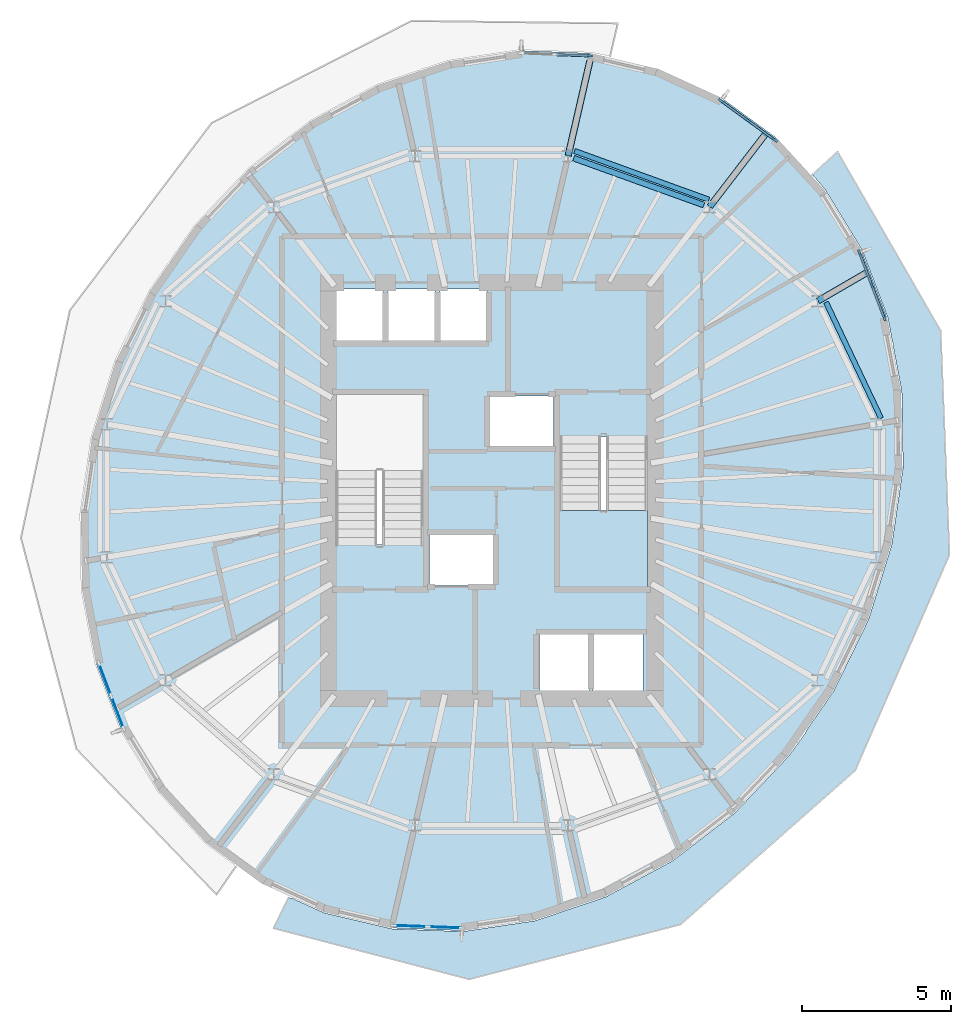
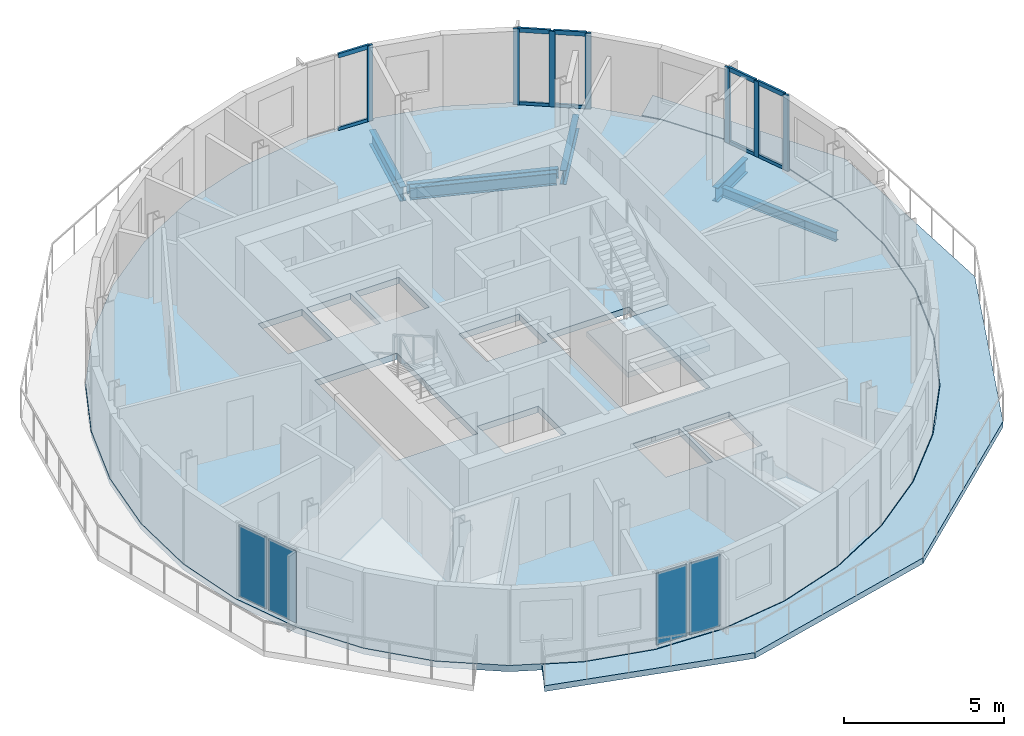
# One storey, part 3 of 11: 17 members, 6 beams, 4 plates, 3 slabs, 6 elements without a shape of their own.
"""IFC4 building model written with IfcOpenShell, lengths in metres."""

from ifc_helpers import new_model, si_unit, direction, frame, origin, origin_2d, place, context, subcontext, project, spatial, polyline, rectangle, i_section, outline, extrude, material, layer, layer_set, material_profile, profile_set, type_object, element, aggregate, save


model = new_model("IFC4")

# Units and contexts
model_context = context("Model", 3, precision=1e-05, world=origin(), true_north=direction((0.0, 1.0)))
body_context = subcontext(model_context, "Body", "Model", "MODEL_VIEW")
ifc_project = project(units=[si_unit("LENGTHUNIT", "METRE"), si_unit("AREAUNIT", "SQUARE_METRE"), si_unit("VOLUMEUNIT", "CUBIC_METRE"), si_unit("PLANEANGLEUNIT", "RADIAN"), si_unit("MASSUNIT", "GRAM", prefix="KILO")], contexts=[model_context])

# Site, building, storey
site_placement = place(None, origin())
site = spatial("IfcSite", under=ifc_project, at=site_placement, CompositionType="ELEMENT")
building_placement = place(site_placement, origin())
building = spatial("IfcBuilding", under=site, at=building_placement, Name="Veldorim Arch Residences", CompositionType="ELEMENT")
storey_placement = place(building_placement, frame((0.0, 0.0, 239.840087890625)))
storey = spatial("IfcBuildingStorey", under=building, at=storey_placement, Name="L72", CompositionType="ELEMENT", Elevation=239.840087890625)

# Beams
ifc_material_1 = material(Name="Steel S355", Category="steel")
ifc_material_profile_1 = material_profile(ifc_material_1, i_section(OverallWidth=0.2119140625, OverallDepth=0.54443359375, WebThickness=0.0126953125, FlangeThickness=0.021240234375, at=origin_2d()), Name="UB533x210x122")
ifc_profile_set_1 = profile_set([ifc_material_profile_1], Name="Steel S355")
beam_type_1 = type_object("IfcBeamType", Name="Structural Steel Beam UB533x210x122", PredefinedType="BEAM", material=ifc_profile_set_1)
beam_1_placement = place(storey_placement, frame((42.99267578125, 30.387939453125, -0.512451171875), z_axis=(0.864624474783, 0.502418667653, 0.0), x_axis=(-0.502418667653, 0.864624474783, 0.0)))
element("IfcBeam", 1, at=beam_1_placement, inside=storey, type_object=beam_type_1, Name="L72 radial edge cantilever girder 02", PredefinedType="BEAM", context=body_context, shape_type="SweptSolid", body=[
    extrude(i_section(OverallWidth=0.2119140625, OverallDepth=0.54443359375, WebThickness=0.0126953125, FlangeThickness=0.021240234375, at=origin_2d()), origin(), (0.0, 0.0, 1.0), 1.892578125),
])
beam_2_placement = place(storey_placement, frame((39.345703125, 33.561279296875, -0.512451171875), z_axis=(0.609237247817, 0.792988004873, 0.0), x_axis=(-0.792988004873, 0.609237247817, 0.0)))
element("IfcBeam", 2, at=beam_2_placement, inside=storey, type_object=beam_type_1, Name="L72 radial edge cantilever girder 03", PredefinedType="BEAM", context=body_context, shape_type="SweptSolid", body=[
    extrude(i_section(OverallWidth=0.2119140625, OverallDepth=0.54443359375, WebThickness=0.0126953125, FlangeThickness=0.021240234375, at=origin_2d()), origin(), (0.0, 0.0, 1.0), 3.09033203125),
])
beam_3_placement = place(storey_placement, frame((34.57958984375, 35.27880859375, -0.512451171875), z_axis=(0.222994562623, 0.974819688476, 0.0), x_axis=(-0.974819688476, 0.222994562623, 0.0)))
element("IfcBeam", 3, at=beam_3_placement, inside=storey, type_object=beam_type_1, Name="L72 radial edge cantilever girder 04", PredefinedType="BEAM", context=body_context, shape_type="SweptSolid", body=[
    extrude(i_section(OverallWidth=0.2119140625, OverallDepth=0.54443359375, WebThickness=0.0126953125, FlangeThickness=0.021240234375, at=origin_2d()), origin(), (0.0, 0.0, 1.0), 3.280029296875),
])
ifc_material_2 = material(Name="Steel S355", Category="steel")
ifc_material_profile_2 = material_profile(ifc_material_2, i_section(OverallWidth=0.172119140625, OverallDepth=0.35791015625, WebThickness=0.008056640625, FlangeThickness=0.012939453125, at=origin_2d()), Name="UB356x171x57")
ifc_profile_set_2 = profile_set([ifc_material_profile_2], Name="Steel S355")
beam_type_2 = type_object("IfcBeamType", Name="Structural Steel Spandrel UB356x171x57", PredefinedType="SPANDREL", material=ifc_profile_set_2)
beam_4_placement = place(storey_placement, frame((45.107666015625, 26.439208984375, -0.439208984375), z_axis=(-0.428453398876, 0.903563879862, 0.0), x_axis=(-0.903563879862, -0.428453398876, 0.0)))
element("IfcBeam", 4, at=beam_4_placement, inside=storey, type_object=beam_type_2, Name="L72 perimeter chord spandrel beam 01", PredefinedType="SPANDREL", context=body_context, shape_type="SweptSolid", body=[
    extrude(i_section(OverallWidth=0.172119140625, OverallDepth=0.35791015625, WebThickness=0.008056640625, FlangeThickness=0.012939453125, at=origin_2d()), origin(), (0.0, 0.0, 1.0), 4.31689453125),
])
beam_5_placement = place(storey_placement, frame((39.314697265625, 33.79541015625, -0.439208984375), z_axis=(-0.940181197783, 0.340674794099, 0.0), x_axis=(-0.340674794099, -0.940181197783, 0.0)))
element("IfcBeam", 5, at=beam_5_placement, inside=storey, type_object=beam_type_2, Name="L72 perimeter chord spandrel beam 03", PredefinedType="SPANDREL", context=body_context, shape_type="SweptSolid", body=[
    extrude(i_section(OverallWidth=0.172119140625, OverallDepth=0.35791015625, WebThickness=0.008056640625, FlangeThickness=0.012939453125, at=origin_2d()), origin(), (0.0, 0.0, 1.0), 4.80859375),
])
ifc_material_3 = material(Name="Steel S355", Category="steel")
ifc_material_profile_3 = material_profile(ifc_material_3, i_section(OverallWidth=0.19140625, OverallDepth=0.4599609375, WebThickness=0.010009765625, FlangeThickness=0.01611328125, at=origin_2d()), Name="UB457x191x82")
ifc_profile_set_3 = profile_set([ifc_material_profile_3], Name="Steel S355")
beam_type_3 = type_object("IfcBeamType", Name="Structural Steel Spandrel UB457x191x82", PredefinedType="SPANDREL", material=ifc_profile_set_3)
beam_6_placement = place(storey_placement, frame((39.145751953125, 33.61279296875, -0.469970703125), z_axis=(-0.940799194754, 0.338964415757, 0.0), x_axis=(-0.338964415757, -0.940799194754, 0.0)))
element("IfcBeam", 6, at=beam_6_placement, inside=storey, type_object=beam_type_3, Name="L72 perimeter ring tie beam 03", PredefinedType="SPANDREL", context=body_context, shape_type="SweptSolid", body=[
    extrude(i_section(OverallWidth=0.19140625, OverallDepth=0.4599609375, WebThickness=0.010009765625, FlangeThickness=0.01611328125, at=origin_2d()), origin(), (0.0, 0.0, 1.0), 4.65869140625),
])

# Curtain wall, member
ifc_material_4 = material(Name="Aluminium", Category="aluminium")
curtain_wall_type = type_object("IfcCurtainWallType", Name="Zone 4 High-Altitude Unitised Curtain Wall", PredefinedType="NOTDEFINED", material=ifc_material_4)
curtain_wall_1_placement = place(storey_placement, origin())
curtain_wall_1 = element("IfcCurtainWall", 7, at=curtain_wall_1_placement, inside=storey, type_object=curtain_wall_type, Name="L72 unitised curtain wall bay 03", PredefinedType="NOTDEFINED")
ifc_material_5 = material(Name="Aluminium", Category="aluminium")
ifc_material_profile_4 = material_profile(ifc_material_5, rectangle(XDim=0.074951171875, YDim=0.195068359375, at=origin_2d()), Name="ALU_MUL_75x195")
ifc_profile_set_4 = profile_set([ifc_material_profile_4], Name="Aluminium")
member_type_1 = type_object("IfcMemberType", Name="Zone 4 High-Altitude Unitised Curtain Wall Mullion 75x195", PredefinedType="MULLION", material=ifc_profile_set_4)
member_1_placement = place(storey_placement, frame((35.304443359375, 38.635986328125, 0.0), z_axis=(0.0, 0.0, 1.0), x_axis=(0.037606436173, 0.999292627791, 0.0)))
member_1 = element("IfcMember", 8, at=member_1_placement, type_object=member_type_1, Name="CW-Z4 mullion 3", PredefinedType="MULLION", context=body_context, shape_type="SweptSolid", body=[
    extrude(rectangle(XDim=0.074951171875, YDim=0.195068359375, at=origin_2d()), origin(), (0.0, 0.0, 1.0), 2.8798828125),
])

# Curtain wall, members
curtain_wall_2_placement = place(storey_placement, origin())
curtain_wall_2 = element("IfcCurtainWall", 9, at=curtain_wall_2_placement, inside=storey, type_object=curtain_wall_type, Name="L72 unitised curtain wall bay 33", PredefinedType="NOTDEFINED")
member_2_placement = place(storey_placement, frame((44.381591796875, 32.014892578125, 0.0), z_axis=(0.0, 0.0, 1.0), x_axis=(0.934865414393, 0.355002333755, 0.0)))
member_2 = element("IfcMember", 10, at=member_2_placement, type_object=member_type_1, Name="CW-Z4 mullion 1", PredefinedType="MULLION", context=body_context, shape_type="SweptSolid", body=[
    extrude(rectangle(XDim=0.074951171875, YDim=0.195068359375, at=origin_2d()), origin(), (0.0, 0.0, 1.0), 2.8798828125),
])
member_3_placement = place(storey_placement, frame((44.8017578125, 30.908447265625, 0.0), z_axis=(0.0, 0.0, 1.0), x_axis=(0.934865414393, 0.355002333755, 0.0)))
member_3 = element("IfcMember", 11, at=member_3_placement, type_object=member_type_1, Name="CW-Z4 mullion 2", PredefinedType="MULLION", context=body_context, shape_type="SweptSolid", body=[
    extrude(rectangle(XDim=0.074951171875, YDim=0.195068359375, at=origin_2d()), origin(), (0.0, 0.0, 1.0), 2.8798828125),
])
member_4_placement = place(storey_placement, frame((45.221923828125, 29.802001953125, 0.0), z_axis=(0.0, 0.0, 1.0), x_axis=(0.934865414393, 0.355002333755, 0.0)))
member_4 = element("IfcMember", 12, at=member_4_placement, type_object=member_type_1, Name="CW-Z4 mullion 3", PredefinedType="MULLION", context=body_context, shape_type="SweptSolid", body=[
    extrude(rectangle(XDim=0.074951171875, YDim=0.195068359375, at=origin_2d()), origin(), (0.0, 0.0, 1.0), 2.8798828125),
])

curtain_wall_3_placement = place(storey_placement, origin())
curtain_wall_3 = element("IfcCurtainWall", 13, at=curtain_wall_3_placement, inside=storey, type_object=curtain_wall_type, Name="L72 unitised curtain wall bay 36", PredefinedType="NOTDEFINED")
member_5_placement = place(storey_placement, frame((39.720458984375, 37.124267578125, 0.0), z_axis=(0.0, 0.0, 1.0), x_axis=(0.589278638406, 0.807929877105, 0.0)))
member_5 = element("IfcMember", 14, at=member_5_placement, type_object=member_type_1, Name="CW-Z4 mullion 1", PredefinedType="MULLION", context=body_context, shape_type="SweptSolid", body=[
    extrude(rectangle(XDim=0.074951171875, YDim=0.195068359375, at=origin_2d()), origin(), (0.0, 0.0, 1.0), 2.8798828125),
])
member_6_placement = place(storey_placement, frame((40.62939453125, 36.46142578125, 0.0), z_axis=(0.0, 0.0, 1.0), x_axis=(0.589278638406, 0.807929877105, 0.0)))
member_6 = element("IfcMember", 15, at=member_6_placement, type_object=member_type_1, Name="CW-Z4 mullion 2", PredefinedType="MULLION", context=body_context, shape_type="SweptSolid", body=[
    extrude(rectangle(XDim=0.074951171875, YDim=0.195068359375, at=origin_2d()), origin(), (0.0, 0.0, 1.0), 2.8798828125),
])
member_7_placement = place(storey_placement, frame((41.5380859375, 35.798583984375, 0.0), z_axis=(0.0, 0.0, 1.0), x_axis=(0.589278638406, 0.807929877105, 0.0)))
member_7 = element("IfcMember", 16, at=member_7_placement, type_object=member_type_1, Name="CW-Z4 mullion 3", PredefinedType="MULLION", context=body_context, shape_type="SweptSolid", body=[
    extrude(rectangle(XDim=0.074951171875, YDim=0.195068359375, at=origin_2d()), origin(), (0.0, 0.0, 1.0), 2.8798828125),
])

# Member
ifc_material_6 = material(Name="Aluminium", Category="aluminium")
ifc_material_profile_5 = material_profile(ifc_material_6, rectangle(XDim=0.074951171875, YDim=0.1650390625, at=origin_2d()), Name="ALU_TRN_75x165")
ifc_profile_set_5 = profile_set([ifc_material_profile_5], Name="Aluminium")
member_type_2 = type_object("IfcMemberType", Name="Zone 4 High-Altitude Unitised Curtain Wall Transom 75x165", PredefinedType="USERDEFINED", material=ifc_profile_set_5)
member_8_placement = place(storey_placement, frame((34.186279296875, 38.677978515625, 0.037353515625), z_axis=(0.999297404323, -0.037479297135, 0.0), x_axis=(0.037479297135, 0.999297404323, 0.0)))
member_8 = element("IfcMember", 17, at=member_8_placement, type_object=member_type_2, Name="CW-Z4 transom 2.1", ObjectType="TRANSOM", PredefinedType="USERDEFINED", context=body_context, shape_type="SweptSolid", body=[
    extrude(rectangle(XDim=0.074951171875, YDim=0.1650390625, at=origin_2d()), origin(), (0.0, 0.0, 1.0), 1.081298828125),
])

member_9_placement = place(storey_placement, frame((34.186279296875, 38.677978515625, 2.842529296875), z_axis=(0.999297404323, -0.037479297135, 0.0), x_axis=(0.037479297135, 0.999297404323, 0.0)))
member_9 = element("IfcMember", 18, at=member_9_placement, type_object=member_type_2, Name="CW-Z4 transom 2.2", ObjectType="TRANSOM", PredefinedType="USERDEFINED", context=body_context, shape_type="SweptSolid", body=[
    extrude(rectangle(XDim=0.074951171875, YDim=0.1650390625, at=origin_2d()), origin(), (0.0, 0.0, 1.0), 1.081298828125),
])

aggregate(curtain_wall_1, [member_1, member_8, member_9])

member_10_placement = place(storey_placement, frame((44.39501953125, 31.979736328125, 0.037353515625), z_axis=(0.355079172172, -0.934836232444, 0.0), x_axis=(0.934836232444, 0.355079172172, 0.0)))
member_10 = element("IfcMember", 19, at=member_10_placement, type_object=member_type_2, Name="CW-Z4 transom 1.1", ObjectType="TRANSOM", PredefinedType="USERDEFINED", context=body_context, shape_type="SweptSolid", body=[
    extrude(rectangle(XDim=0.074951171875, YDim=0.1650390625, at=origin_2d()), origin(), (0.0, 0.0, 1.0), 1.1083984375),
])

member_11_placement = place(storey_placement, frame((44.39501953125, 31.979736328125, 2.842529296875), z_axis=(0.355079172172, -0.934836232444, 0.0), x_axis=(0.934836232444, 0.355079172172, 0.0)))
member_11 = element("IfcMember", 20, at=member_11_placement, type_object=member_type_2, Name="CW-Z4 transom 1.2", ObjectType="TRANSOM", PredefinedType="USERDEFINED", context=body_context, shape_type="SweptSolid", body=[
    extrude(rectangle(XDim=0.074951171875, YDim=0.1650390625, at=origin_2d()), origin(), (0.0, 0.0, 1.0), 1.1083984375),
])

member_12_placement = place(storey_placement, frame((44.815185546875, 30.873291015625, 0.037353515625), z_axis=(0.355079172172, -0.934836232444, 0.0), x_axis=(0.934836232444, 0.355079172172, 0.0)))
member_12 = element("IfcMember", 21, at=member_12_placement, type_object=member_type_2, Name="CW-Z4 transom 2.1", ObjectType="TRANSOM", PredefinedType="USERDEFINED", context=body_context, shape_type="SweptSolid", body=[
    extrude(rectangle(XDim=0.074951171875, YDim=0.1650390625, at=origin_2d()), origin(), (0.0, 0.0, 1.0), 1.1083984375),
])

member_13_placement = place(storey_placement, frame((44.815185546875, 30.873291015625, 2.842529296875), z_axis=(0.355079172172, -0.934836232444, 0.0), x_axis=(0.934836232444, 0.355079172172, 0.0)))
member_13 = element("IfcMember", 22, at=member_13_placement, type_object=member_type_2, Name="CW-Z4 transom 2.2", ObjectType="TRANSOM", PredefinedType="USERDEFINED", context=body_context, shape_type="SweptSolid", body=[
    extrude(rectangle(XDim=0.074951171875, YDim=0.1650390625, at=origin_2d()), origin(), (0.0, 0.0, 1.0), 1.1083984375),
])

aggregate(curtain_wall_2, [member_2, member_3, member_4, member_10, member_11, member_12, member_13])

member_14_placement = place(storey_placement, frame((39.750732421875, 37.102294921875, 0.037353515625), z_axis=(0.807991387578, -0.589194295287, 0.0), x_axis=(0.589194295287, 0.807991387578, 0.0)))
member_14 = element("IfcMember", 23, at=member_14_placement, type_object=member_type_2, Name="CW-Z4 transom 1.1", ObjectType="TRANSOM", PredefinedType="USERDEFINED", context=body_context, shape_type="SweptSolid", body=[
    extrude(rectangle(XDim=0.074951171875, YDim=0.1650390625, at=origin_2d()), origin(), (0.0, 0.0, 1.0), 1.050048828125),
])

member_15_placement = place(storey_placement, frame((39.750732421875, 37.102294921875, 2.842529296875), z_axis=(0.807991387578, -0.589194295287, 0.0), x_axis=(0.589194295287, 0.807991387578, 0.0)))
member_15 = element("IfcMember", 24, at=member_15_placement, type_object=member_type_2, Name="CW-Z4 transom 1.2", ObjectType="TRANSOM", PredefinedType="USERDEFINED", context=body_context, shape_type="SweptSolid", body=[
    extrude(rectangle(XDim=0.074951171875, YDim=0.1650390625, at=origin_2d()), origin(), (0.0, 0.0, 1.0), 1.050048828125),
])

member_16_placement = place(storey_placement, frame((40.65966796875, 36.439453125, 0.037353515625), z_axis=(0.807910647088, -0.589305002798, 0.0), x_axis=(0.589305002798, 0.807910647088, 0.0)))
member_16 = element("IfcMember", 25, at=member_16_placement, type_object=member_type_2, Name="CW-Z4 transom 2.1", ObjectType="TRANSOM", PredefinedType="USERDEFINED", context=body_context, shape_type="SweptSolid", body=[
    extrude(rectangle(XDim=0.074951171875, YDim=0.1650390625, at=origin_2d()), origin(), (0.0, 0.0, 1.0), 1.0498046875),
])

member_17_placement = place(storey_placement, frame((40.65966796875, 36.439453125, 2.842529296875), z_axis=(0.807910647088, -0.589305002798, 0.0), x_axis=(0.589305002798, 0.807910647088, 0.0)))
member_17 = element("IfcMember", 26, at=member_17_placement, type_object=member_type_2, Name="CW-Z4 transom 2.2", ObjectType="TRANSOM", PredefinedType="USERDEFINED", context=body_context, shape_type="SweptSolid", body=[
    extrude(rectangle(XDim=0.074951171875, YDim=0.1650390625, at=origin_2d()), origin(), (0.0, 0.0, 1.0), 1.0498046875),
])

aggregate(curtain_wall_3, [member_5, member_6, member_7, member_14, member_15, member_16, member_17])

# Slab
ifc_material_7 = material(Name="Concrete C40/50", Category="concrete")
ifc_layer_1 = layer(ifc_material_7, 0.219970703125, Name="Planted Crescent Cantilever Balcony Slab 220")
ifc_layer_set_1 = layer_set([ifc_layer_1], Name="Concrete C40/50")
slab_type_1 = type_object("IfcSlabType", Name="Planted Crescent Cantilever Balcony Slab 220", PredefinedType="FLOOR", material=ifc_layer_set_1)
slab_1_placement = place(storey_placement, frame((0.0, 0.0, -0.219970703125)))
element("IfcSlab", 27, at=slab_1_placement, inside=storey, type_object=slab_type_1, Name="L72 planted crescent balcony slab B", PredefinedType="FLOOR", context=body_context, shape_type="SweptSolid", body=[
    extrude(outline(polyline([(25.290283203125, 10.27978515625), (26.362060546875, 9.788818359375), (28.6513671875, 9.25048828125), (31.042236328125, 9.16064453125), (33.462158203125, 9.521728515625), (35.837158203125, 10.322509765625), (38.095703125, 11.5390625), (40.168701171875, 13.1337890625), (41.99365234375, 15.05859375), (42.558349609375, 15.835693359375), (42.60888671875, 15.947021484375), (43.514892578125, 17.2548828125), (44.686767578125, 19.65625), (45.47314453125, 22.189453125), (45.85009765625, 24.777587890625), (45.806640625, 27.34228515625), (45.531982421875, 28.802978515625), (45.53369140625, 28.92919921875), (45.491943359375, 29.016357421875), (45.343505859375, 29.805908203125), (44.47509765625, 32.093017578125), (43.227294921875, 34.134521484375), (42.796142578125, 34.636474609375), (43.64501953125, 35.412353515625), (47.1171875, 29.384521484375), (47.412841796875, 21.8349609375), (44.24072265625, 14.578857421875), (38.367919921875, 9.398193359375), (31.24658203125, 7.550537109375), (24.658203125, 9.269287109375), (25.16162109375, 10.30322265625), (25.290283203125, 10.27978515625)])), origin(), (0.0, 0.0, 1.0), 0.219970703125),
])

# Stair, slab
ifc_material_8 = material(Name="Concrete C40/50", Category="concrete")
stair_type = type_object("IfcStairType", Name="Reinforced Concrete Dogleg Exit Staircase", PredefinedType="HALF_TURN_STAIR", material=ifc_material_8)
stair_placement = place(storey_placement, origin())
stair = element("IfcStair", 28, at=stair_placement, inside=storey, type_object=stair_type, Name="L72 Exit Staircase ST-2", PredefinedType="HALF_TURN_STAIR")
ifc_material_9 = material(Name="Concrete C40/50", Category="concrete")
ifc_layer_2 = layer(ifc_material_9, 0.199951171875, Name="Reinforced Concrete Stair Landing 200")
ifc_layer_set_2 = layer_set([ifc_layer_2], Name="Concrete C40/50")
slab_type_2 = type_object("IfcSlabType", Name="Reinforced Concrete Stair Landing 200", PredefinedType="LANDING", material=ifc_layer_set_2)
slab_2_placement = place(storey_placement, frame((0.0, 0.0, 1.39990234375)))
slab_2 = element("IfcSlab", 29, at=slab_2_placement, type_object=slab_type_2, Name="ST-2 landing 1", PredefinedType="LANDING", context=body_context, shape_type="SweptSolid", body=[
    extrude(outline(polyline([(34.2900390625, 23.330078125), (34.2900390625, 20.75), (37.25, 20.75), (37.25, 23.330078125), (34.2900390625, 23.330078125)])), origin(), (0.0, 0.0, 1.0), 0.199951171875),
])
aggregate(stair, [slab_2])

# Slab
ifc_material_10 = material(Name="Concrete C40/50", Category="concrete")
ifc_layer_3 = layer(ifc_material_10, 0.239990234375, Name="Typical Residential Floor Slab 240")
ifc_layer_set_3 = layer_set([ifc_layer_3], Name="Concrete C40/50")
slab_type_3 = type_object("IfcSlabType", Name="Typical Residential Floor Slab 240", PredefinedType="FLOOR", material=ifc_layer_set_3)
slab_3_placement = place(storey_placement, frame((0.0, 0.0, -0.239990234375)))
element("IfcSlab", 30, at=slab_3_placement, inside=storey, type_object=slab_type_3, Name="L72 tower structural floor slab", PredefinedType="FLOOR", context=body_context, shape_type="SweptSolid", body=[
    extrude(outline(polyline([(39.7431640625, 37.218994140625), (37.6298828125, 38.1875), (35.34521484375, 38.724609375), (32.958984375, 38.814208984375), (30.543701171875, 38.453857421875), (28.1728515625, 37.654296875), (25.91796875, 36.43994140625), (23.84814453125, 34.847412109375), (22.02587890625, 32.925537109375), (20.506591796875, 30.732421875), (19.336669921875, 28.334716796875), (18.551513671875, 25.80517578125), (18.1748046875, 23.220703125), (18.21826171875, 20.66015625), (18.6806640625, 18.200927734375), (19.547607421875, 15.918212890625), (20.792724609375, 13.880615234375), (22.378662109375, 12.15087890625), (24.2568359375, 10.781005859375), (26.3701171875, 9.8125), (28.65478515625, 9.275390625), (31.041015625, 9.185791015625), (33.456298828125, 9.546142578125), (35.8271484375, 10.345703125), (38.08203125, 11.56005859375), (40.15185546875, 13.152587890625), (41.97412109375, 15.074462890625), (43.493408203125, 17.267578125), (44.663330078125, 19.665283203125), (45.448486328125, 22.19482421875), (45.8251953125, 24.779296875), (45.78173828125, 27.33984375), (45.3193359375, 29.799072265625), (44.452392578125, 32.081787109375), (43.207275390625, 34.119384765625), (41.621337890625, 35.84912109375), (39.7431640625, 37.218994140625)]), holes=[polyline([(33.610107421875, 17.2099609375), (33.610107421875, 19.2900390625), (35.2900390625, 19.2900390625), (35.2900390625, 17.2099609375), (33.610107421875, 17.2099609375)]), polyline([(35.409912109375, 17.2099609375), (35.409912109375, 19.2900390625), (37.090087890625, 19.2900390625), (37.090087890625, 17.2099609375), (35.409912109375, 17.2099609375)]), polyline([(29.909912109375, 20.81494140625), (29.909912109375, 22.544921875), (32.090087890625, 22.544921875), (32.090087890625, 20.81494140625), (29.909912109375, 20.81494140625)]), polyline([(34.2900390625, 20.75), (34.2900390625, 25.804931640625), (37.25, 25.804931640625), (37.25, 20.75), (34.2900390625, 20.75)]), polyline([(26.75, 22.195068359375), (26.75, 27.25), (29.7099609375, 27.25), (29.7099609375, 22.195068359375), (26.75, 22.195068359375)]), polyline([(31.909912109375, 25.455078125), (31.909912109375, 27.18505859375), (34.090087890625, 27.18505859375), (34.090087890625, 25.455078125), (31.909912109375, 25.455078125)]), polyline([(26.760009765625, 28.909912109375), (26.760009765625, 30.7900390625), (28.340087890625, 30.7900390625), (28.340087890625, 28.909912109375), (26.760009765625, 28.909912109375)]), polyline([(28.510009765625, 30.7900390625), (30.090087890625, 30.7900390625), (30.090087890625, 28.909912109375), (28.510009765625, 28.909912109375), (28.510009765625, 30.7900390625)]), polyline([(30.260009765625, 30.7900390625), (31.840087890625, 30.7900390625), (31.840087890625, 28.909912109375), (30.260009765625, 28.909912109375), (30.260009765625, 30.7900390625)])]), origin(), (0.0, 0.0, 1.0), 0.239990234375),
])

# Curtain wall, plates
curtain_wall_4_placement = place(storey_placement, origin())
curtain_wall_4 = element("IfcCurtainWall", 31, at=curtain_wall_4_placement, inside=storey, type_object=curtain_wall_type, Name="L72 unitised curtain wall bay 15", PredefinedType="NOTDEFINED")
ifc_material_11 = material(Name="Laminated Low-E Glass", Category="glass")
ifc_layer_4 = layer(ifc_material_11, 0.030029296875, Name="Zone 4 High-Altitude Unitised Curtain Wall Glazing Panel 30")
ifc_layer_set_4 = layer_set([ifc_layer_4], Name="Laminated Low-E Glass")
plate_type = type_object("IfcPlateType", Name="Zone 4 High-Altitude Unitised Curtain Wall Glazing Panel 30", PredefinedType="CURTAIN_PANEL", material=ifc_layer_set_4)
plate_1_placement = place(storey_placement, frame((19.408203125, 16.538330078125, 0.074951171875), z_axis=(0.0, 0.0, 1.0), x_axis=(-0.355002333755, 0.934865414393, 0.0)))
plate_1 = element("IfcPlate", 32, at=plate_1_placement, type_object=plate_type, Name="CW-Z4 panel 1.1", PredefinedType="CURTAIN_PANEL", context=body_context, shape_type="SweptSolid", body=[
    extrude(rectangle(XDim=1.1083984375, YDim=0.030029296875, at=origin_2d()), origin(), (0.0, 0.0, 1.0), 2.72998046875),
])
plate_2_placement = place(storey_placement, frame((18.988037109375, 17.644775390625, 0.074951171875), z_axis=(0.0, 0.0, 1.0), x_axis=(-0.355002333755, 0.934865414393, 0.0)))
plate_2 = element("IfcPlate", 33, at=plate_2_placement, type_object=plate_type, Name="CW-Z4 panel 2.1", PredefinedType="CURTAIN_PANEL", context=body_context, shape_type="SweptSolid", body=[
    extrude(rectangle(XDim=1.1083984375, YDim=0.030029296875, at=origin_2d()), origin(), (0.0, 0.0, 1.0), 2.72998046875),
])
aggregate(curtain_wall_4, [plate_1, plate_2])

curtain_wall_5_placement = place(storey_placement, origin())
curtain_wall_5 = element("IfcCurtainWall", 34, at=curtain_wall_5_placement, inside=storey, type_object=curtain_wall_type, Name="L72 unitised curtain wall bay 21", PredefinedType="NOTDEFINED")
plate_3_placement = place(storey_placement, frame((30.428955078125, 9.298828125, 0.074951171875), z_axis=(0.0, 0.0, 1.0), x_axis=(-0.999292627791, 0.037606436173, 0.0)))
plate_3 = element("IfcPlate", 35, at=plate_3_placement, type_object=plate_type, Name="CW-Z4 panel 1.1", PredefinedType="CURTAIN_PANEL", context=body_context, shape_type="SweptSolid", body=[
    extrude(rectangle(XDim=1.08154296875, YDim=0.030029296875, at=origin_2d()), origin(), (0.0, 0.0, 1.0), 2.72998046875),
])
plate_4_placement = place(storey_placement, frame((29.2734375, 9.34228515625, 0.074951171875), z_axis=(0.0, 0.0, 1.0), x_axis=(-0.999292627791, 0.037606436173, 0.0)))
plate_4 = element("IfcPlate", 36, at=plate_4_placement, type_object=plate_type, Name="CW-Z4 panel 2.1", PredefinedType="CURTAIN_PANEL", context=body_context, shape_type="SweptSolid", body=[
    extrude(rectangle(XDim=1.08154296875, YDim=0.030029296875, at=origin_2d()), origin(), (0.0, 0.0, 1.0), 2.72998046875),
])
aggregate(curtain_wall_5, [plate_3, plate_4])

save(model, "model.ifc")
